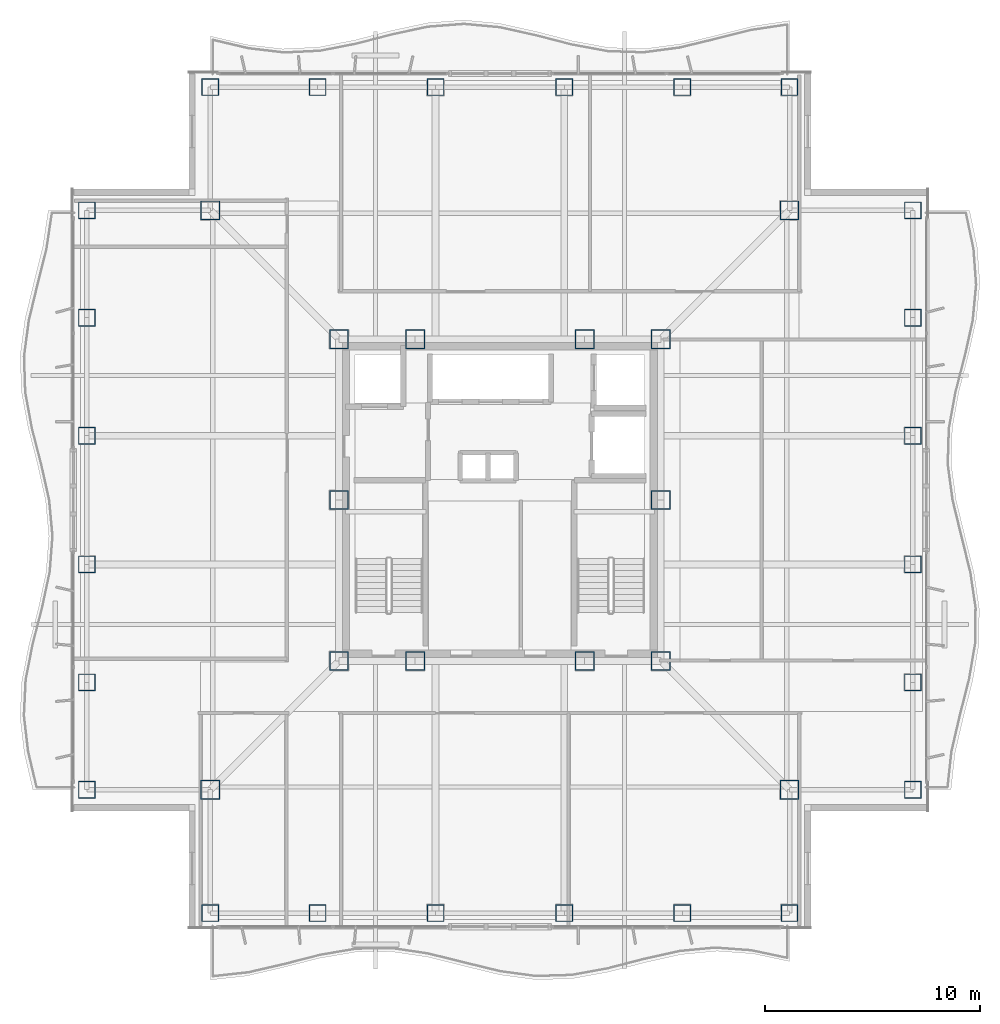
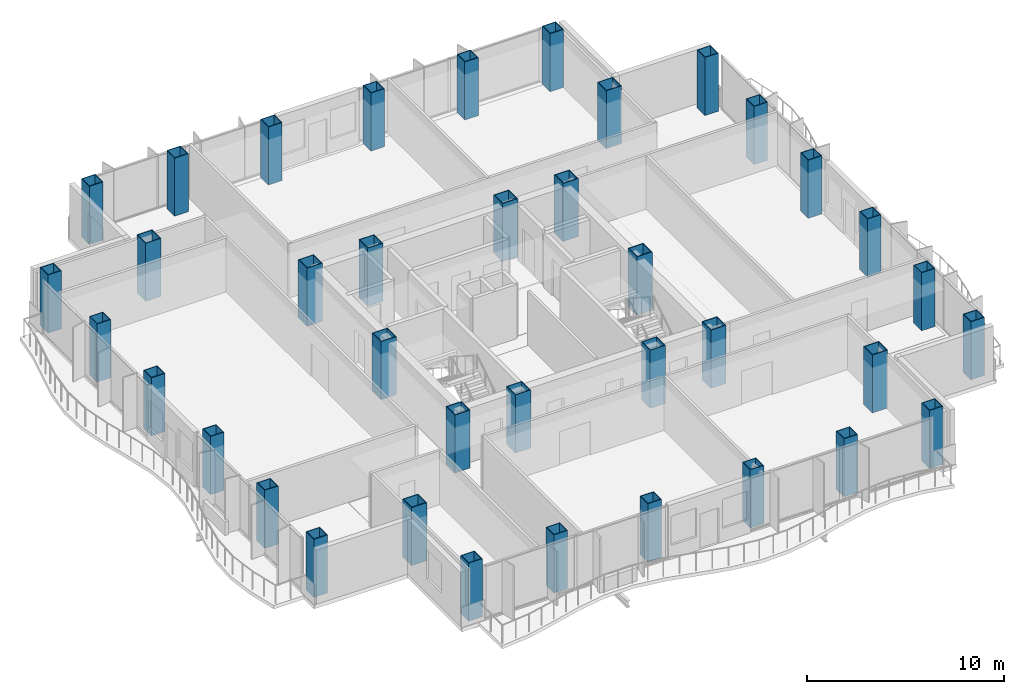
# One storey, part 1 of 16: 38 columns.
"""IFC4 building model written with IfcOpenShell, lengths in metres."""

from ifc_helpers import new_model, si_unit, direction, frame, origin, origin_2d, place, context, subcontext, project, spatial, hollow_rectangle, extrude, material, material_profile, profile_set, type_object, element, save


model = new_model("IFC4")

# Units and contexts
model_context = context("Model", 3, precision=1e-05, world=origin(), true_north=direction((0.0, 1.0)))
body_context = subcontext(model_context, "Body", "Model", "MODEL_VIEW")
ifc_project = project(units=[si_unit("LENGTHUNIT", "METRE"), si_unit("AREAUNIT", "SQUARE_METRE"), si_unit("VOLUMEUNIT", "CUBIC_METRE"), si_unit("PLANEANGLEUNIT", "RADIAN"), si_unit("MASSUNIT", "GRAM", prefix="KILO")], contexts=[model_context])

# Site, building, storey
site_placement = place(None, origin())
site = spatial("IfcSite", under=ifc_project, at=site_placement, CompositionType="ELEMENT")
building_placement = place(site_placement, origin())
building = spatial("IfcBuilding", under=site, at=building_placement, Name="Trevonay Congress Spire", CompositionType="ELEMENT")
storey_placement = place(building_placement, frame((0.0, 0.0, 195.0)))
storey = spatial("IfcBuildingStorey", under=building, at=storey_placement, Name="L50", CompositionType="ELEMENT", Elevation=195.0)

# Columns
ifc_material = material(Name="Steel ASTM A572 Grade 50", Category="steel")
ifc_material_profile_1 = material_profile(ifc_material, hollow_rectangle(XDim=0.89990234375, YDim=0.89990234375, WallThickness=0.044921875, at=origin_2d()), Name="BOX 900x900x45")
ifc_profile_set_1 = profile_set([ifc_material_profile_1], Name="Steel ASTM A572 Grade 50")
column_type_1 = type_object("IfcColumnType", Name="COL-CORE-BOX900", PredefinedType="COLUMN", material=ifc_profile_set_1)
for number, where, z_axis, x_axis, name in (
    (1, (-7.5, -7.5, 0.0), (0.0, 0.0, 1.0), (1.0, 0.0, 0.0), "L50 column C04 at CC-SW"),
    (2, (-3.949951171875, -7.5, 0.0), (0.0, 0.0, 1.0), (1.0, 0.0, 0.0), "L50 column C04 at CC-SMW"),
    (3, (3.949951171875, -7.5, 0.0), (0.0, 0.0, 1.0), (1.0, 0.0, 0.0), "L50 column C04 at CC-SME"),
    (4, (7.5, -7.5, 0.0), (0.0, 0.0, 1.0), (1.0, 0.0, 0.0), "L50 column C04 at CC-SE"),
    (5, (7.5, 0.0, 0.0), (0.0, 0.0, 1.0), (1.0, 0.0, 0.0), "L50 column C04 at CC-E"),
    (6, (7.5, 7.5, 0.0), (0.0, 0.0, 1.0), (1.0, 0.0, 0.0), "L50 column C04 at CC-NE"),
    (7, (3.949951171875, 7.5, 0.0), (0.0, 0.0, 1.0), (1.0, 0.0, 0.0), "L50 column C04 at CC-NME"),
    (8, (-3.949951171875, 7.5, 0.0), (0.0, 0.0, 1.0), (1.0, 0.0, 0.0), "L50 column C04 at CC-NMW"),
    (9, (-7.5, 7.5, 0.0), (0.0, 0.0, 1.0), (1.0, 0.0, 0.0), "L50 column C04 at CC-NW"),
    (10, (-7.5, 0.0, 0.0), (0.0, 0.0, 1.0), (1.0, 0.0, 0.0), "L50 column C04 at CC-W"),
):
    element("IfcColumn", number, at=place(storey_placement, frame(where, z_axis=z_axis, x_axis=x_axis)), inside=storey, type_object=column_type_1, Name=name, PredefinedType="COLUMN", context=body_context, shape_type="SweptSolid", body=[
        extrude(hollow_rectangle(XDim=0.89990234375, YDim=0.89990234375, WallThickness=0.044921875, at=origin_2d()), origin(), (0.0, 0.0, 1.0), 3.60009765625),
    ])
ifc_material_profile_2 = material_profile(ifc_material, hollow_rectangle(XDim=0.800048828125, YDim=0.800048828125, WallThickness=0.0400390625, at=origin_2d()), Name="BOX 800x800x40")
ifc_profile_set_2 = profile_set([ifc_material_profile_2], Name="Steel ASTM A572 Grade 50")
column_type_2 = type_object("IfcColumnType", Name="COL-TUBE-BOX800", PredefinedType="COLUMN", material=ifc_profile_set_2)
for number, where, z_axis, x_axis, name in (
    (11, (-13.5, -19.25, 0.0), (0.0, 0.0, 1.0), (1.0, 0.0, 0.0), "L50 column C16 at TS-1"),
    (12, (-13.5, 19.25, 0.0), (0.0, 0.0, 1.0), (1.0, 0.0, 0.0), "L50 column C16 at TN-1"),
    (13, (-19.25, -13.5, 0.0), (0.0, 0.0, 1.0), (1.0, 0.0, 0.0), "L50 column C16 at TW-1"),
    (14, (19.25, -13.5, 0.0), (0.0, 0.0, 1.0), (1.0, 0.0, 0.0), "L50 column C16 at TE-1"),
    (15, (-8.5, -19.25, 0.0), (0.0, 0.0, 1.0), (1.0, 0.0, 0.0), "L50 column C16 at TS-2"),
    (16, (-8.5, 19.25, 0.0), (0.0, 0.0, 1.0), (1.0, 0.0, 0.0), "L50 column C16 at TN-2"),
    (17, (-19.25, -8.5, 0.0), (0.0, 0.0, 1.0), (1.0, 0.0, 0.0), "L50 column C16 at TW-2"),
    (18, (19.25, -8.5, 0.0), (0.0, 0.0, 1.0), (1.0, 0.0, 0.0), "L50 column C16 at TE-2"),
    (19, (-3.0, -19.25, 0.0), (0.0, 0.0, 1.0), (1.0, 0.0, 0.0), "L50 column C16 at TS-3"),
    (20, (-3.0, 19.25, 0.0), (0.0, 0.0, 1.0), (1.0, 0.0, 0.0), "L50 column C16 at TN-3"),
    (21, (-19.25, -3.0, 0.0), (0.0, 0.0, 1.0), (1.0, 0.0, 0.0), "L50 column C16 at TW-3"),
    (22, (19.25, -3.0, 0.0), (0.0, 0.0, 1.0), (1.0, 0.0, 0.0), "L50 column C16 at TE-3"),
    (23, (3.0, -19.25, 0.0), (0.0, 0.0, 1.0), (1.0, 0.0, 0.0), "L50 column C16 at TS-4"),
    (24, (3.0, 19.25, 0.0), (0.0, 0.0, 1.0), (1.0, 0.0, 0.0), "L50 column C16 at TN-4"),
    (25, (-19.25, 3.0, 0.0), (0.0, 0.0, 1.0), (1.0, 0.0, 0.0), "L50 column C16 at TW-4"),
    (26, (19.25, 3.0, 0.0), (0.0, 0.0, 1.0), (1.0, 0.0, 0.0), "L50 column C16 at TE-4"),
    (27, (8.5, -19.25, 0.0), (0.0, 0.0, 1.0), (1.0, 0.0, 0.0), "L50 column C16 at TS-5"),
    (28, (8.5, 19.25, 0.0), (0.0, 0.0, 1.0), (1.0, 0.0, 0.0), "L50 column C16 at TN-5"),
    (29, (-19.25, 8.5, 0.0), (0.0, 0.0, 1.0), (1.0, 0.0, 0.0), "L50 column C16 at TW-5"),
    (30, (19.25, 8.5, 0.0), (0.0, 0.0, 1.0), (1.0, 0.0, 0.0), "L50 column C16 at TE-5"),
    (31, (13.5, -19.25, 0.0), (0.0, 0.0, 1.0), (1.0, 0.0, 0.0), "L50 column C16 at TS-6"),
    (32, (13.5, 19.25, 0.0), (0.0, 0.0, 1.0), (1.0, 0.0, 0.0), "L50 column C16 at TN-6"),
    (33, (-19.25, 13.5, 0.0), (0.0, 0.0, 1.0), (1.0, 0.0, 0.0), "L50 column C16 at TW-6"),
    (34, (19.25, 13.5, 0.0), (0.0, 0.0, 1.0), (1.0, 0.0, 0.0), "L50 column C16 at TE-6"),
):
    element("IfcColumn", number, at=place(storey_placement, frame(where, z_axis=z_axis, x_axis=x_axis)), inside=storey, type_object=column_type_2, Name=name, PredefinedType="COLUMN", context=body_context, shape_type="SweptSolid", body=[
        extrude(hollow_rectangle(XDim=0.800048828125, YDim=0.800048828125, WallThickness=0.0400390625, at=origin_2d()), origin(), (0.0, 0.0, 1.0), 3.60009765625),
    ])
ifc_material_profile_3 = material_profile(ifc_material, hollow_rectangle(XDim=0.89990234375, YDim=0.89990234375, WallThickness=0.044921875, at=origin_2d()), Name="BOX 900x900x45")
ifc_profile_set_3 = profile_set([ifc_material_profile_3], Name="Steel ASTM A572 Grade 50")
column_type_3 = type_object("IfcColumnType", Name="COL-TUBE-BOX900", PredefinedType="COLUMN", material=ifc_profile_set_3)
for number, where, z_axis, x_axis, name in (
    (35, (-13.5, -13.5, 0.0), (0.0, 0.0, 1.0), (1.0, 0.0, 0.0), "L50 column C15 at NC-SW"),
    (36, (13.5, -13.5, 0.0), (0.0, 0.0, 1.0), (1.0, 0.0, 0.0), "L50 column C15 at NC-SE"),
    (37, (13.5, 13.5, 0.0), (0.0, 0.0, 1.0), (1.0, 0.0, 0.0), "L50 column C15 at NC-NE"),
    (38, (-13.5, 13.5, 0.0), (0.0, 0.0, 1.0), (1.0, 0.0, 0.0), "L50 column C15 at NC-NW"),
):
    element("IfcColumn", number, at=place(storey_placement, frame(where, z_axis=z_axis, x_axis=x_axis)), inside=storey, type_object=column_type_3, Name=name, PredefinedType="COLUMN", context=body_context, shape_type="SweptSolid", body=[
        extrude(hollow_rectangle(XDim=0.89990234375, YDim=0.89990234375, WallThickness=0.044921875, at=origin_2d()), origin(), (0.0, 0.0, 1.0), 3.60009765625),
    ])

save(model, "model.ifc")
